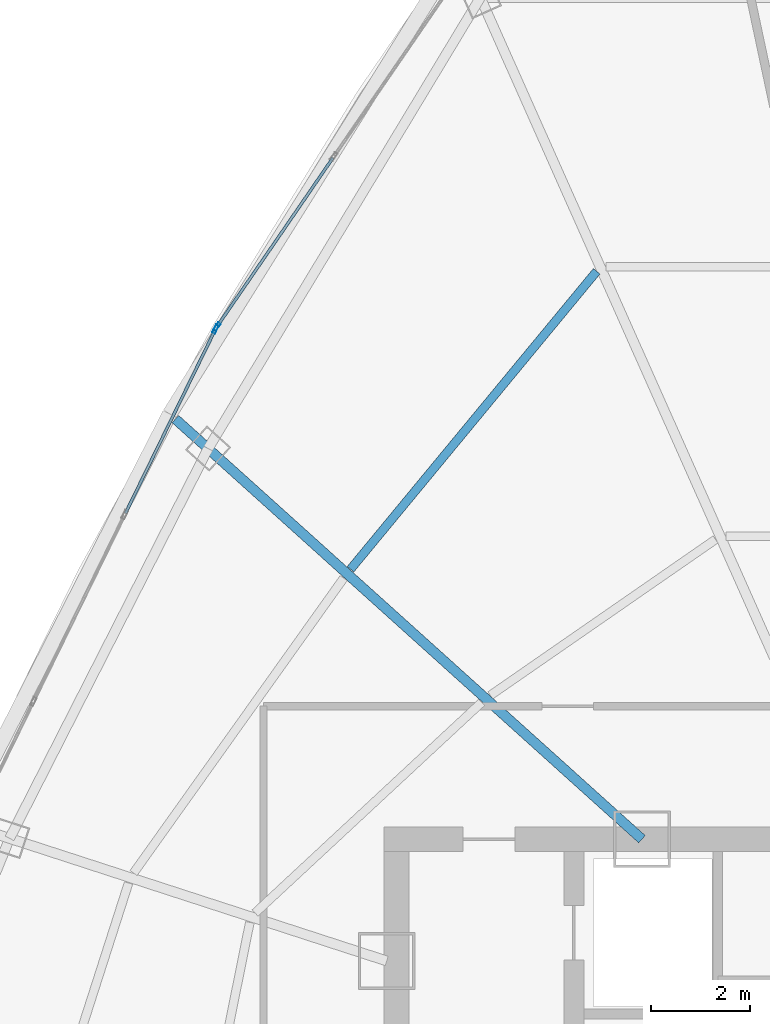
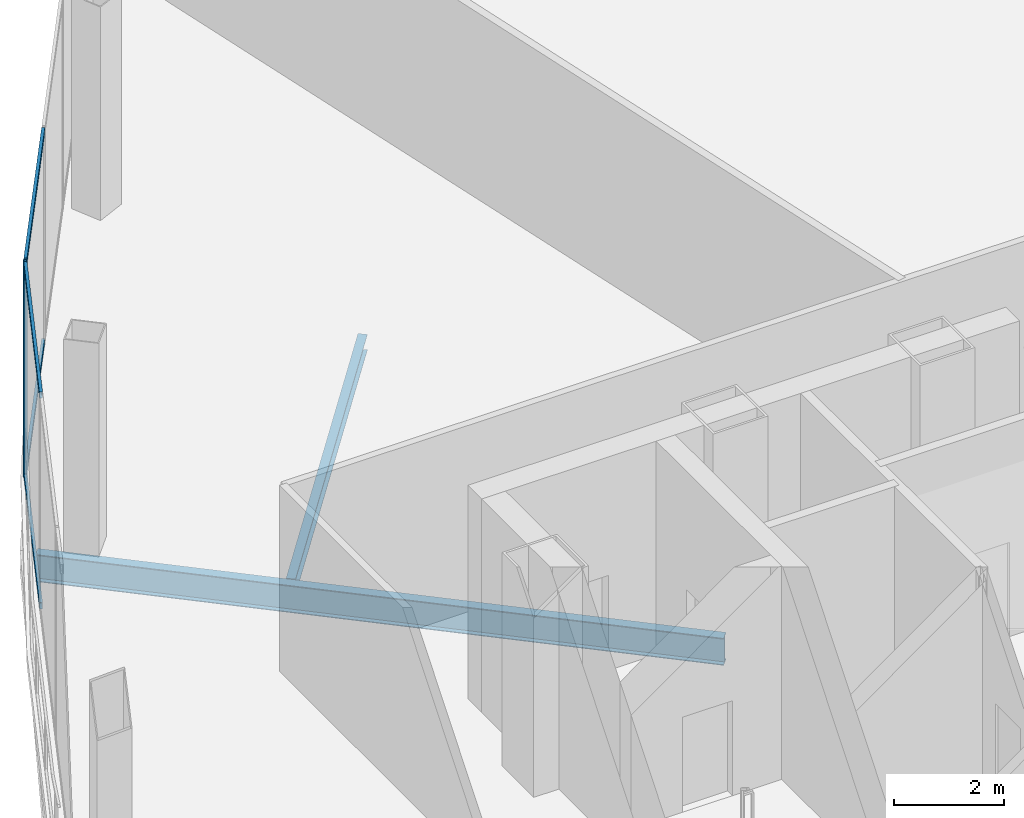
# One storey, part 11 of 33: 6 members, 2 beams, 2 elements without a shape of their own.
"""IFC4 building model written with IfcOpenShell, lengths in metres."""

from ifc_helpers import new_model, si_unit, direction, frame, origin, origin_2d, place, context, subcontext, project, spatial, hollow_rectangle, i_section, extrude, source, transform, mapped, material, layer, layer_set, material_profile, profile_set, type_object, element, aggregate, save


model = new_model("IFC4")

# Units and contexts
model_context = context("Model", 3, precision=1e-05, world=origin(), true_north=direction((0.0, 1.0)))
body_context = subcontext(model_context, "Body", "Model", "MODEL_VIEW")
ifc_project = project(units=[si_unit("LENGTHUNIT", "METRE"), si_unit("AREAUNIT", "SQUARE_METRE"), si_unit("VOLUMEUNIT", "CUBIC_METRE"), si_unit("PLANEANGLEUNIT", "RADIAN"), si_unit("MASSUNIT", "GRAM", prefix="KILO"), si_unit("THERMODYNAMICTEMPERATUREUNIT", "KELVIN"), si_unit("POWERUNIT", "WATT")], contexts=[model_context])

# Site, building, storey
site_placement = place(None, origin())
site = spatial("IfcSite", under=ifc_project, at=site_placement, CompositionType="ELEMENT")
building_placement = place(site_placement, origin())
building = spatial("IfcBuilding", under=site, at=building_placement, Name="Yunzhuo Pagoda Commons", CompositionType="ELEMENT")
storey_placement = place(building_placement, frame((0.0, 0.0, 391.760009765625)))
storey = spatial("IfcBuildingStorey", under=building, at=storey_placement, Name="L97", CompositionType="ELEMENT", Elevation=391.760009765625)

# Beams
ifc_material_1 = material(Name="Structural steel Q355B", Category="steel")
ifc_material_profile_1 = material_profile(ifc_material_1, i_section(OverallWidth=0.175048828125, OverallDepth=0.35009765625, WebThickness=0.007080078125, FlangeThickness=0.010986328125, at=origin_2d()), Name="Structural steel Q355B")
ifc_profile_set_1 = profile_set([ifc_material_profile_1], Name="Structural steel Q355B")
beam_type_1 = type_object("IfcBeamType", Name="B-JS2 Joist HN 350x175x7x11", PredefinedType="JOIST", material=ifc_profile_set_1)
shared_shape_1 = source(origin(), body_context, "Body", "SweptSolid", [
    extrude(i_section(OverallWidth=0.175048828125, OverallDepth=0.35009765625, WebThickness=0.007080078125, FlangeThickness=0.010986328125, at=origin_2d()), origin(), (0.0, 0.0, 1.0), 7.842529296875),
])
beam_1_placement = place(storey_placement, frame((39.861328125, 51.726318359375, -0.455078125), z_axis=(-0.636899145749, -0.770947130577, 0.0), x_axis=(0.770947130577, -0.636899145749, 0.0)))
element("IfcBeam", 1, at=beam_1_placement, inside=storey, type_object=beam_type_1, Name="L97 composite ring joist 2.9", PredefinedType="JOIST", context=body_context, shape_type="MappedRepresentation", body=[
    mapped(shared_shape_1, transform((0.0, 0.0, 0.0), scale=1.0)),
])
ifc_material_profile_2 = material_profile(ifc_material_1, i_section(OverallWidth=0.199951171875, OverallDepth=0.60009765625, WebThickness=0.010986328125, FlangeThickness=0.01708984375, at=origin_2d()), Name="Structural steel Q355B")
ifc_profile_set_2 = profile_set([ifc_material_profile_2], Name="Structural steel Q355B")
beam_type_2 = type_object("IfcBeamType", Name="B-RG3 Beam HN 600x200x11x17", PredefinedType="BEAM", material=ifc_profile_set_2)
shared_shape_2 = source(origin(), body_context, "Body", "SweptSolid", [
    extrude(i_section(OverallWidth=0.199951171875, OverallDepth=0.60009765625, WebThickness=0.010986328125, FlangeThickness=0.01708984375, at=origin_2d()), origin(), (0.0, 0.0, 1.0), 12.744140625),
])
beam_2_placement = place(storey_placement, frame((31.310302734375, 48.7275390625, -0.580078125), z_axis=(0.743139811769, -0.669136174605, 0.0), x_axis=(0.669136174605, 0.743139811769, 0.0)))
element("IfcBeam", 2, at=beam_2_placement, inside=storey, type_object=beam_type_2, Name="L97 radial floor girder F3C2", PredefinedType="BEAM", context=body_context, shape_type="MappedRepresentation", body=[
    mapped(shared_shape_2, transform((0.0, 0.0, 0.0), scale=1.0)),
])

# Curtain wall, member
ifc_material_2 = material(Name="Anodized aluminium 6063-T6", Category="aluminium")
ifc_layer = layer(ifc_material_2, 0.179931640625)
ifc_layer_set = layer_set([ifc_layer], Name="Anodized aluminium 6063-T6")
curtain_wall_type = type_object("IfcCurtainWallType", Name="CW-CRN Crown Gable Glazing System", PredefinedType="NOTDEFINED", material=ifc_layer_set)
curtain_wall_1_placement = place(storey_placement, origin())
curtain_wall_1 = element("IfcCurtainWall", 3, at=curtain_wall_1_placement, inside=storey, type_object=curtain_wall_type, Name="L97 curtain wall CW-L97-CRNF3G1", PredefinedType="NOTDEFINED")
ifc_material_profile_3 = material_profile(ifc_material_2, hollow_rectangle(XDim=0.06494140625, YDim=0.179931640625, WallThickness=0.00390625, at=origin_2d()), Name="Anodized aluminium 6063-T6")
ifc_profile_set_3 = profile_set([ifc_material_profile_3], Name="Anodized aluminium 6063-T6")
member_type_1 = type_object("IfcMemberType", Name="CW-CRN-M Mullion RHS 180x65x4", PredefinedType="MULLION", material=ifc_profile_set_3)
shared_shape_3 = source(origin(), body_context, "Body", "SweptSolid", [
    extrude(hollow_rectangle(XDim=0.06494140625, YDim=0.179931640625, WallThickness=0.00390625, at=origin_2d()), origin(), (0.0, 0.0, 1.0), 4.72021484375),
])
member_1_placement = place(storey_placement, frame((32.15283203125, 50.59912109375, 0.0), z_axis=(0.0, 0.0, 1.0), x_axis=(0.824296116005, -0.566158911561, 0.0)))
member_1 = element("IfcMember", 4, at=member_1_placement, type_object=member_type_1, Name="CW mullion 5", PredefinedType="MULLION", context=body_context, shape_type="MappedRepresentation", body=[
    mapped(shared_shape_3, transform((0.0, 0.0, 0.0), scale=1.0)),
])

# Curtain wall, members
curtain_wall_2_placement = place(storey_placement, origin())
curtain_wall_2 = element("IfcCurtainWall", 5, at=curtain_wall_2_placement, inside=storey, type_object=curtain_wall_type, Name="L97 curtain wall CW-L97-CRNF3G2", PredefinedType="NOTDEFINED")
member_2_placement = place(storey_placement, frame((32.126220703125, 50.55322265625, 0.0), z_axis=(0.0, 0.0, 1.0), x_axis=(0.898299261226, -0.439384156839, 0.0)))
member_2 = element("IfcMember", 6, at=member_2_placement, type_object=member_type_1, Name="CW mullion 1", PredefinedType="MULLION", context=body_context, shape_type="MappedRepresentation", body=[
    mapped(shared_shape_3, transform((0.0, 0.0, 0.0), scale=1.0)),
])
ifc_material_profile_4 = material_profile(ifc_material_2, hollow_rectangle(XDim=0.06005859375, YDim=0.139892578125, WallThickness=0.00341796875, at=origin_2d()), Name="Anodized aluminium 6063-T6")
ifc_profile_set_4 = profile_set([ifc_material_profile_4], Name="Anodized aluminium 6063-T6")
member_type_2 = type_object("IfcMemberType", Name="CW-CRN-T Transom RHS 140x60x3.5", PredefinedType="USERDEFINED", material=ifc_profile_set_4)
shared_shape_4 = source(origin(), body_context, "Body", "SweptSolid", [
    extrude(hollow_rectangle(XDim=0.06005859375, YDim=0.139892578125, WallThickness=0.00341796875, at=origin_2d()), origin(), (0.0, 0.0, 1.0), 4.12548828125),
])
member_3_placement = place(storey_placement, frame((32.1123046875, 50.524169921875, 0.030029296875), z_axis=(-0.439456356664, -0.898263942607, 0.0), x_axis=(0.898263942607, -0.439456356664, 0.0)))
member_3 = element("IfcMember", 7, at=member_3_placement, type_object=member_type_2, Name="CW transom 1.1", ObjectType="TRANSOM", PredefinedType="USERDEFINED", context=body_context, shape_type="MappedRepresentation", body=[
    mapped(shared_shape_4, transform((0.0, 0.0, 0.0), scale=1.0)),
])
member_4_placement = place(storey_placement, frame((32.1123046875, 50.524169921875, 4.68994140625), z_axis=(-0.439456356664, -0.898263942607, 0.0), x_axis=(0.898263942607, -0.439456356664, 0.0)))
member_4 = element("IfcMember", 8, at=member_4_placement, type_object=member_type_2, Name="CW transom 1.2", ObjectType="TRANSOM", PredefinedType="USERDEFINED", context=body_context, shape_type="MappedRepresentation", body=[
    mapped(shared_shape_4, transform((0.0, 0.0, 0.0), scale=1.0)),
])
aggregate(curtain_wall_2, [member_2, member_3, member_4])

# Member
shared_shape_5 = source(origin(), body_context, "Body", "SweptSolid", [
    extrude(hollow_rectangle(XDim=0.06005859375, YDim=0.139892578125, WallThickness=0.00341796875, at=origin_2d()), origin(), (0.0, 0.0, 1.0), 4.125244140625),
])
member_5_placement = place(storey_placement, frame((34.5068359375, 54.0263671875, 0.030029296875), z_axis=(-0.566146975172, -0.824304314258, 0.0), x_axis=(0.824304314258, -0.566146975172, 0.0)))
member_5 = element("IfcMember", 9, at=member_5_placement, type_object=member_type_2, Name="CW transom 4.1", ObjectType="TRANSOM", PredefinedType="USERDEFINED", context=body_context, shape_type="MappedRepresentation", body=[
    mapped(shared_shape_5, transform((0.0, 0.0, 0.0), scale=1.0)),
])

member_6_placement = place(storey_placement, frame((34.5068359375, 54.0263671875, 4.68994140625), z_axis=(-0.566146975172, -0.824304314258, 0.0), x_axis=(0.824304314258, -0.566146975172, 0.0)))
member_6 = element("IfcMember", 10, at=member_6_placement, type_object=member_type_2, Name="CW transom 4.2", ObjectType="TRANSOM", PredefinedType="USERDEFINED", context=body_context, shape_type="MappedRepresentation", body=[
    mapped(shared_shape_5, transform((0.0, 0.0, 0.0), scale=1.0)),
])

aggregate(curtain_wall_1, [member_1, member_5, member_6])

save(model, "model.ifc")
